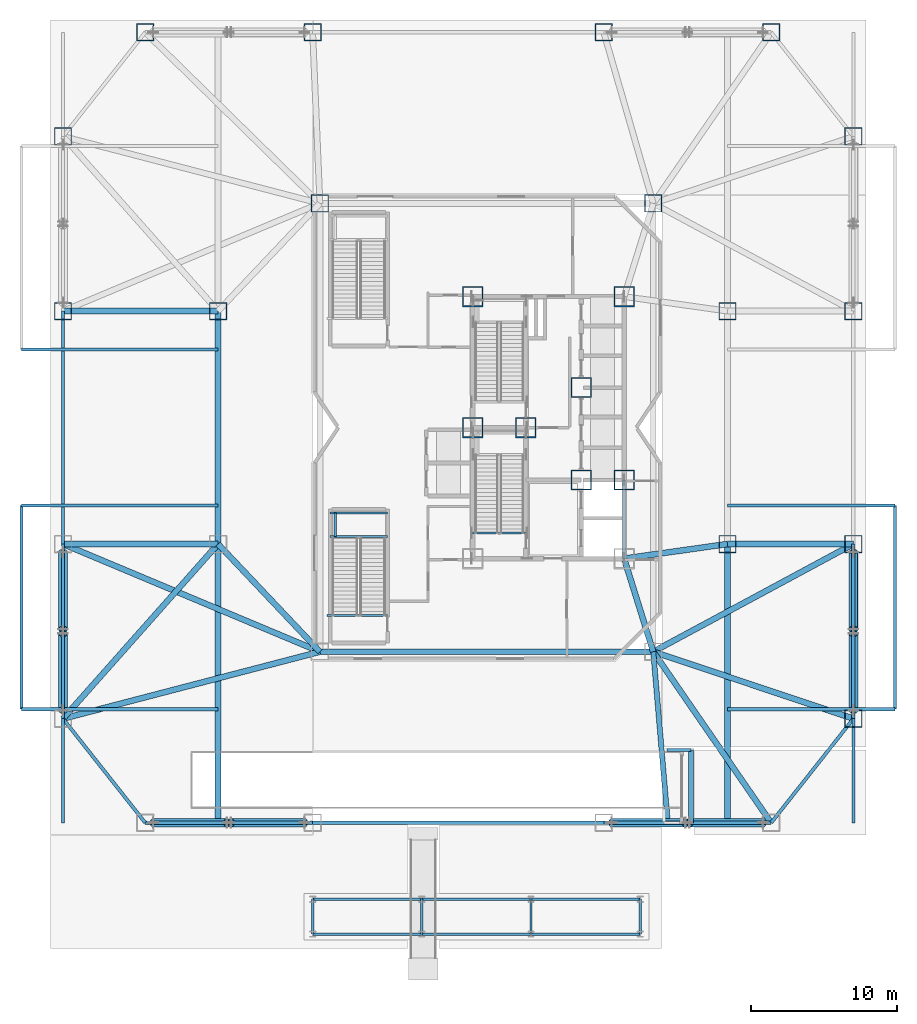
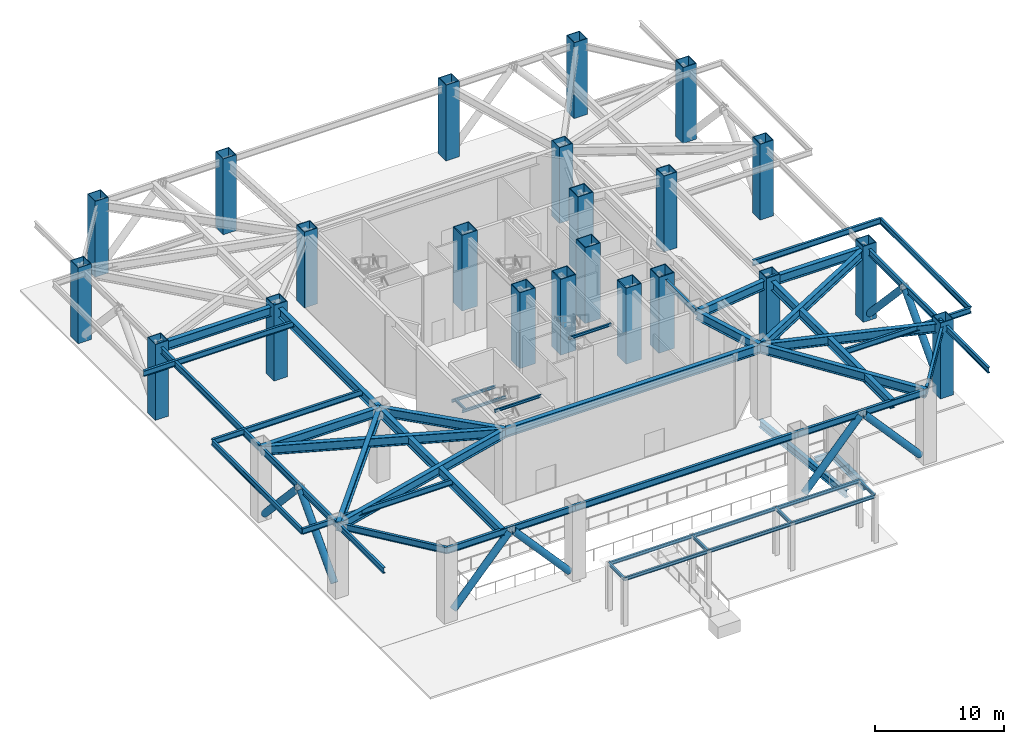
# One storey, part 2 of 14: 52 beams, 22 columns, 8 members.
"""IFC4 building model written with IfcOpenShell, lengths in metres."""

from ifc_helpers import new_model, si_unit, direction, frame, origin, origin_2d, place, context, subcontext, project, spatial, hollow_rectangle, hollow_circle, i_section, extrude, material, material_profile, profile_set, type_object, element, save


model = new_model("IFC4")

# Units and contexts
model_context = context("Model", 3, precision=1e-05, world=origin(), true_north=direction((0.0, 1.0)))
body_context = subcontext(model_context, "Body", "Model", "MODEL_VIEW")
ifc_project = project(units=[si_unit("LENGTHUNIT", "METRE"), si_unit("AREAUNIT", "SQUARE_METRE"), si_unit("VOLUMEUNIT", "CUBIC_METRE"), si_unit("PLANEANGLEUNIT", "RADIAN"), si_unit("MASSUNIT", "GRAM", prefix="KILO")], contexts=[model_context])

# Site, building, storey
site_placement = place(None, origin())
site = spatial("IfcSite", under=ifc_project, at=site_placement, CompositionType="ELEMENT")
building_placement = place(site_placement, origin())
building = spatial("IfcBuilding", under=site, at=building_placement, Name="Khamvora Tower", CompositionType="ELEMENT")
storey_placement = place(building_placement, origin())
storey = spatial("IfcBuildingStorey", under=building, at=storey_placement, Name="L00", CompositionType="ELEMENT", Elevation=0.0)

# Columns
ifc_material_1 = material(Name="Steel S460", Category="steel")
ifc_material_profile_1 = material_profile(ifc_material_1, hollow_rectangle(XDim=1.199951171875, YDim=1.199951171875, WallThickness=0.06005859375, at=origin_2d()), Name="BOX1200x1200x60")
ifc_profile_set_1 = profile_set([ifc_material_profile_1], Name="Steel S460")
column_type_1 = type_object("IfcColumnType", Name="COL-BOX1200", PredefinedType="COLUMN", material=ifc_profile_set_1)
for number, where, z_axis, x_axis, name in (
    (1, (6.5, 55.14990234375, 0.0), (0.0, 0.0, 1.0), (1.0, 0.0, 0.0), "L00 structural frame column P05"),
    (2, (18.0, 55.14990234375, 0.0), (0.0, 0.0, 1.0), (1.0, 0.0, 0.0), "L00 structural frame column P06"),
    (3, (38.0, 55.14990234375, 0.0), (0.0, 0.0, 1.0), (1.0, 0.0, 0.0), "L00 structural frame column P07"),
    (4, (49.5, 55.14990234375, 0.0), (0.0, 0.0, 1.0), (1.0, 0.0, 0.0), "L00 structural frame column P08"),
    (5, (0.85009765625, 36.0, 0.0), (0.0, 0.0, 1.0), (1.0, 0.0, 0.0), "L00 structural frame column P11"),
    (6, (0.85009765625, 48.0, 0.0), (0.0, 0.0, 1.0), (1.0, 0.0, 0.0), "L00 structural frame column P12"),
    (7, (55.14990234375, 8.0, 0.0), (0.0, 0.0, 1.0), (1.0, 0.0, 0.0), "L00 structural frame column P13"),
    (8, (55.14990234375, 20.0, 0.0), (0.0, 0.0, 1.0), (1.0, 0.0, 0.0), "L00 structural frame column P14"),
    (9, (55.14990234375, 36.0, 0.0), (0.0, 0.0, 1.0), (1.0, 0.0, 0.0), "L00 structural frame column P15"),
    (10, (55.14990234375, 48.0, 0.0), (0.0, 0.0, 1.0), (1.0, 0.0, 0.0), "L00 structural frame column P16"),
    (11, (18.5, 43.39990234375, 0.0), (0.0, 0.0, 1.0), (1.0, 0.0, 0.0), "L00 structural frame column P19"),
    (12, (41.39990234375, 43.39990234375, 0.0), (0.0, 0.0, 1.0), (1.0, 0.0, 0.0), "L00 structural frame column P20"),
    (13, (11.5, 36.0, 0.0), (0.0, 0.0, 1.0), (1.0, 0.0, 0.0), "L00 structural frame column P22"),
    (14, (46.5, 20.0, 0.0), (0.0, 0.0, 1.0), (1.0, 0.0, 0.0), "L00 structural frame column P23"),
    (15, (46.5, 36.0, 0.0), (0.0, 0.0, 1.0), (1.0, 0.0, 0.0), "L00 structural frame column P24"),
):
    element("IfcColumn", number, at=place(storey_placement, frame(where, z_axis=z_axis, x_axis=x_axis)), inside=storey, type_object=column_type_1, Name=name, PredefinedType="COLUMN", context=body_context, shape_type="SweptSolid", body=[
        extrude(hollow_rectangle(XDim=1.199951171875, YDim=1.199951171875, WallThickness=0.06005859375, at=origin_2d()), origin(), (0.0, 0.0, 1.0), 7.199951171875),
    ])
ifc_material_profile_2 = material_profile(ifc_material_1, hollow_rectangle(XDim=1.39990234375, YDim=1.39990234375, WallThickness=0.070068359375, at=origin_2d()), Name="BOX1400x1400x70")
ifc_profile_set_2 = profile_set([ifc_material_profile_2], Name="Steel S460")
column_type_2 = type_object("IfcColumnType", Name="COL-BOX1400", PredefinedType="COLUMN", material=ifc_profile_set_2)
for number, where, z_axis, x_axis, name in (
    (16, (32.64990234375, 28.0, 0.0), (0.0, 0.0, 1.0), (1.0, 0.0, 0.0), "L00 plumb core spine column SC2"),
    (17, (29.0, 28.0, 0.0), (0.0, 0.0, 1.0), (1.0, 0.0, 0.0), "L00 plumb core spine column SC4"),
    (18, (36.449951171875, 24.39990234375, 0.0), (0.0, 0.0, 1.0), (1.0, 0.0, 0.0), "L00 plumb core spine column SC5"),
    (19, (39.39990234375, 24.39990234375, 0.0), (0.0, 0.0, 1.0), (1.0, 0.0, 0.0), "L00 plumb core spine column SC6"),
    (20, (29.0, 37.0, 0.0), (0.0, 0.0, 1.0), (1.0, 0.0, 0.0), "L00 plumb core spine column SC7"),
    (21, (36.449951171875, 30.75, 0.0), (0.0, 0.0, 1.0), (1.0, 0.0, 0.0), "L00 plumb core spine column SC8"),
    (22, (39.39990234375, 37.0, 0.0), (0.0, 0.0, 1.0), (1.0, 0.0, 0.0), "L00 plumb core spine column SC9"),
):
    element("IfcColumn", number, at=place(storey_placement, frame(where, z_axis=z_axis, x_axis=x_axis)), inside=storey, type_object=column_type_2, Name=name, PredefinedType="COLUMN", context=body_context, shape_type="SweptSolid", body=[
        extrude(hollow_rectangle(XDim=1.39990234375, YDim=1.39990234375, WallThickness=0.070068359375, at=origin_2d()), origin(), (0.0, 0.0, 1.0), 7.199951171875),
    ])

# Beams
ifc_material_2 = material(Name="Steel S355", Category="steel")
ifc_material_profile_3 = material_profile(ifc_material_2, i_section(OverallWidth=0.166015625, OverallDepth=0.31298828125, WebThickness=0.007080078125, FlangeThickness=0.010986328125, FilletRadius=0.010009765625, at=origin_2d()), Name="W310x45")
ifc_profile_set_3 = profile_set([ifc_material_profile_3], Name="Steel S355")
beam_type_1 = type_object("IfcBeamType", Name="BM-JS-W310x45", PredefinedType="JOIST", material=ifc_profile_set_3)
for number, where, z_axis, x_axis, name in (
    (23, (18.0, -6.800048828125, 4.343017578125), (1.0, 0.0, 0.0), (0.0, 1.0, 0.0), "L00 canopy longitudinal beam 1.1"),
    (24, (25.5, -6.800048828125, 4.343017578125), (1.0, 0.0, 0.0), (0.0, 1.0, 0.0), "L00 canopy longitudinal beam 1.2"),
    (25, (33.0, -6.800048828125, 4.343017578125), (1.0, 0.0, 0.0), (0.0, 1.0, 0.0), "L00 canopy longitudinal beam 1.3"),
    (26, (18.0, -4.39990234375, 4.343017578125), (1.0, 0.0, 0.0), (0.0, 1.0, 0.0), "L00 canopy longitudinal beam 2.1"),
    (27, (25.5, -4.39990234375, 4.343017578125), (1.0, 0.0, 0.0), (0.0, 1.0, 0.0), "L00 canopy longitudinal beam 2.2"),
    (28, (33.0, -4.39990234375, 4.343017578125), (1.0, 0.0, 0.0), (0.0, 1.0, 0.0), "L00 canopy longitudinal beam 2.3"),
):
    element("IfcBeam", number, at=place(storey_placement, frame(where, z_axis=z_axis, x_axis=x_axis)), inside=storey, type_object=beam_type_1, Name=name, PredefinedType="JOIST", context=body_context, shape_type="SweptSolid", body=[
        extrude(i_section(OverallWidth=0.166015625, OverallDepth=0.31298828125, WebThickness=0.007080078125, FlangeThickness=0.010986328125, FilletRadius=0.010009765625, at=origin_2d()), origin(), (0.0, 0.0, 1.0), 7.5),
    ])
for number, where, z_axis, x_axis, name in (
    (29, (18.0, -6.800048828125, 4.343017578125), (0.0, 1.0, 0.0), (-1.0, 0.0, 0.0), "L00 canopy transverse tie beam 1"),
    (30, (25.5, -6.800048828125, 4.343017578125), (0.0, 1.0, 0.0), (-1.0, 0.0, 0.0), "L00 canopy transverse tie beam 2"),
    (31, (33.0, -6.800048828125, 4.343017578125), (0.0, 1.0, 0.0), (-1.0, 0.0, 0.0), "L00 canopy transverse tie beam 3"),
    (32, (40.5, -6.800048828125, 4.343017578125), (0.0, 1.0, 0.0), (-1.0, 0.0, 0.0), "L00 canopy transverse tie beam 4"),
):
    element("IfcBeam", number, at=place(storey_placement, frame(where, z_axis=z_axis, x_axis=x_axis)), inside=storey, type_object=beam_type_1, Name=name, PredefinedType="JOIST", context=body_context, shape_type="SweptSolid", body=[
        extrude(i_section(OverallWidth=0.166015625, OverallDepth=0.31298828125, WebThickness=0.007080078125, FlangeThickness=0.010986328125, FilletRadius=0.010009765625, at=origin_2d()), origin(), (0.0, 0.0, 1.0), 2.400146484375),
    ])
ifc_material_profile_4 = material_profile(ifc_material_2, i_section(OverallWidth=0.14697265625, OverallDepth=0.261962890625, WebThickness=0.007080078125, FlangeThickness=0.010986328125, FilletRadius=0.008056640625, at=origin_2d()), Name="W250x39")
ifc_profile_set_4 = profile_set([ifc_material_profile_4], Name="Steel S355")
beam_type_2 = type_object("IfcBeamType", Name="BM-LN-W250x39", PredefinedType="LINTEL", material=ifc_profile_set_4)
for number, where, z_axis, x_axis, name in (
    (33, (19.199951171875, 20.5048828125, 3.26904296875), (1.0, 0.0, 0.0), (0.0, 1.0, 0.0), "L00 ST-03 half-landing support beam 1.1"),
    (34, (19.199951171875, 22.1298828125, 3.26904296875), (1.0, 0.0, 0.0), (0.0, 1.0, 0.0), "L00 ST-03 half-landing support beam 1.2"),
):
    element("IfcBeam", number, at=place(storey_placement, frame(where, z_axis=z_axis, x_axis=x_axis)), inside=storey, type_object=beam_type_2, Name=name, PredefinedType="LINTEL", context=body_context, shape_type="SweptSolid", body=[
        extrude(i_section(OverallWidth=0.14697265625, OverallDepth=0.261962890625, WebThickness=0.007080078125, FlangeThickness=0.010986328125, FilletRadius=0.008056640625, at=origin_2d()), origin(), (0.0, 0.0, 1.0), 3.949951171875),
    ])
beam_1_placement = place(storey_placement, frame((19.550048828125, 20.5048828125, 3.26904296875), z_axis=(0.0, 1.0, 0.0), x_axis=(-1.0, 0.0, 0.0)))
element("IfcBeam", 35, at=beam_1_placement, inside=storey, type_object=beam_type_2, Name="L00 ST-03 half-landing edge stringer 1", PredefinedType="LINTEL", context=body_context, shape_type="SweptSolid", body=[
    extrude(i_section(OverallWidth=0.14697265625, OverallDepth=0.261962890625, WebThickness=0.007080078125, FlangeThickness=0.010986328125, FilletRadius=0.008056640625, at=origin_2d()), origin(), (0.0, 0.0, 1.0), 1.625),
])
beam_2_placement = place(storey_placement, frame((28.89990234375, 20.75, 6.654052734375), z_axis=(1.0, 0.0, 0.0), x_axis=(0.0, 1.0, 0.0)))
element("IfcBeam", 36, at=beam_2_placement, inside=storey, type_object=beam_type_2, Name="L00 exit stair ST-01 landing trimmer beam", PredefinedType="LINTEL", context=body_context, shape_type="SweptSolid", body=[
    extrude(i_section(OverallWidth=0.14697265625, OverallDepth=0.261962890625, WebThickness=0.007080078125, FlangeThickness=0.010986328125, FilletRadius=0.008056640625, at=origin_2d()), origin(), (0.0, 0.0, 1.0), 3.830078125),
])
beam_3_placement = place(storey_placement, frame((19.0, 15.10009765625, 6.654052734375), z_axis=(1.0, 0.0, 0.0), x_axis=(0.0, 1.0, 0.0)))
element("IfcBeam", 37, at=beam_3_placement, inside=storey, type_object=beam_type_2, Name="L00 podium stair ST03 landing trimmer beam", PredefinedType="LINTEL", context=body_context, shape_type="SweptSolid", body=[
    extrude(i_section(OverallWidth=0.14697265625, OverallDepth=0.261962890625, WebThickness=0.007080078125, FlangeThickness=0.010986328125, FilletRadius=0.008056640625, at=origin_2d()), origin(), (0.0, 0.0, 1.0), 4.14990234375),
])
ifc_material_profile_5 = material_profile(ifc_material_2, i_section(OverallWidth=0.35498046875, OverallDepth=0.695068359375, WebThickness=0.014892578125, FlangeThickness=0.02490234375, FilletRadius=0.01611328125, at=origin_2d()), Name="W690x217")
ifc_profile_set_5 = profile_set([ifc_material_profile_5], Name="Steel S355")
beam_type_3 = type_object("IfcBeamType", Name="BM-PG-W690x217", PredefinedType="BEAM", material=ifc_profile_set_5)
beam_4_placement = place(storey_placement, frame((41.39990234375, 12.60009765625, -0.76708984375), z_axis=(0.084799830401, -0.996398007206, 0.0), x_axis=(0.996398007206, 0.084799830401, 0.0)))
element("IfcBeam", 38, at=beam_4_placement, inside=storey, type_object=beam_type_3, Name="L00 vehicle ramp portal foundation grade beam", PredefinedType="BEAM", context=body_context, shape_type="SweptSolid", body=[
    extrude(i_section(OverallWidth=0.35498046875, OverallDepth=0.695068359375, WebThickness=0.014892578125, FlangeThickness=0.02490234375, FilletRadius=0.01611328125, at=origin_2d()), origin(), (0.0, 0.0, 1.0), 11.79248046875),
])
beam_5_placement = place(storey_placement, frame((44.0, 0.85009765625, -0.626953125), z_axis=(0.0, 1.0, 0.0), x_axis=(-1.0, 0.0, 0.0)))
element("IfcBeam", 39, at=beam_5_placement, inside=storey, type_object=beam_type_3, Name="L00 vehicle ramp east apron beam", PredefinedType="BEAM", context=body_context, shape_type="SweptSolid", body=[
    extrude(i_section(OverallWidth=0.35498046875, OverallDepth=0.695068359375, WebThickness=0.014892578125, FlangeThickness=0.02490234375, FilletRadius=0.01611328125, at=origin_2d()), origin(), (0.0, 0.0, 1.0), 5.0),
])
ifc_material_profile_6 = material_profile(ifc_material_2, i_section(OverallWidth=0.39990234375, OverallDepth=0.85498046875, WebThickness=0.01806640625, FlangeThickness=0.029052734375, FilletRadius=0.01806640625, at=origin_2d()), Name="W840x299")
ifc_profile_set_6 = profile_set([ifc_material_profile_6], Name="Steel S355")
beam_type_4 = type_object("IfcBeamType", Name="BM-PG-W840x299", PredefinedType="BEAM", material=ifc_profile_set_6)
beam_6_placement = place(storey_placement, frame((18.5, 12.60009765625, 6.35302734375), z_axis=(1.0, 0.0, 0.0), x_axis=(0.0, 1.0, 0.0)))
element("IfcBeam", 40, at=beam_6_placement, inside=storey, type_object=beam_type_4, Name="L00 longitudinal frame girder P17-P18", PredefinedType="BEAM", context=body_context, shape_type="SweptSolid", body=[
    extrude(i_section(OverallWidth=0.39990234375, OverallDepth=0.85498046875, WebThickness=0.01806640625, FlangeThickness=0.029052734375, FilletRadius=0.01806640625, at=origin_2d()), origin(), (0.0, 0.0, 1.0), 22.89990234375),
])
beam_7_placement = place(storey_placement, frame((11.5, 20.0, 6.35302734375), z_axis=(0.0, 1.0, 0.0), x_axis=(-1.0, 0.0, 0.0)))
element("IfcBeam", 41, at=beam_7_placement, inside=storey, type_object=beam_type_4, Name="L00 longitudinal frame girder P21-P22", PredefinedType="BEAM", context=body_context, shape_type="SweptSolid", body=[
    extrude(i_section(OverallWidth=0.39990234375, OverallDepth=0.85498046875, WebThickness=0.01806640625, FlangeThickness=0.029052734375, FilletRadius=0.01806640625, at=origin_2d()), origin(), (0.0, 0.0, 1.0), 16.0),
])
beam_8_placement = place(storey_placement, frame((41.39990234375, 12.60009765625, 6.35302734375), z_axis=(0.567573841069, -0.823322497527, 0.0), x_axis=(0.823322497527, 0.567573841069, 0.0)))
element("IfcBeam", 42, at=beam_8_placement, inside=storey, type_object=beam_type_4, Name="L00 primary floor girder P04", PredefinedType="BEAM", context=body_context, shape_type="SweptSolid", body=[
    extrude(i_section(OverallWidth=0.39990234375, OverallDepth=0.85498046875, WebThickness=0.01806640625, FlangeThickness=0.029052734375, FilletRadius=0.01806640625, at=origin_2d()), origin(), (0.0, 0.0, 1.0), 14.271484375),
])
beam_9_placement = place(storey_placement, frame((11.5, 20.0, 6.35302734375), z_axis=(-0.6637799472, -0.747927925468, 0.0), x_axis=(0.747927925468, -0.6637799472, 0.0)))
element("IfcBeam", 43, at=beam_9_placement, inside=storey, type_object=beam_type_4, Name="L00 primary floor girder P09", PredefinedType="BEAM", context=body_context, shape_type="SweptSolid", body=[
    extrude(i_section(OverallWidth=0.39990234375, OverallDepth=0.85498046875, WebThickness=0.01806640625, FlangeThickness=0.029052734375, FilletRadius=0.01806640625, at=origin_2d()), origin(), (0.0, 0.0, 1.0), 16.04443359375),
])
for number, where, z_axis, x_axis, name in (
    (44, (11.5, 20.0, 6.35302734375), (-1.0, 0.0, 0.0), (0.0, -1.0, 0.0), "L00 primary floor girder P10"),
    (45, (11.5, 36.0, 6.35302734375), (-1.0, 0.0, 0.0), (0.0, -1.0, 0.0), "L00 primary floor girder P11"),
):
    element("IfcBeam", number, at=place(storey_placement, frame(where, z_axis=z_axis, x_axis=x_axis)), inside=storey, type_object=beam_type_4, Name=name, PredefinedType="BEAM", context=body_context, shape_type="SweptSolid", body=[
        extrude(i_section(OverallWidth=0.39990234375, OverallDepth=0.85498046875, WebThickness=0.01806640625, FlangeThickness=0.029052734375, FilletRadius=0.01806640625, at=origin_2d()), origin(), (0.0, 0.0, 1.0), 10.64990234375),
    ])
beam_10_placement = place(storey_placement, frame((41.39990234375, 12.60009765625, 6.35302734375), z_axis=(0.948335857324, -0.31726818579, 0.0), x_axis=(0.31726818579, 0.948335857324, 0.0)))
element("IfcBeam", 46, at=beam_10_placement, inside=storey, type_object=beam_type_4, Name="L00 primary floor girder P13", PredefinedType="BEAM", context=body_context, shape_type="SweptSolid", body=[
    extrude(i_section(OverallWidth=0.39990234375, OverallDepth=0.85498046875, WebThickness=0.01806640625, FlangeThickness=0.029052734375, FilletRadius=0.01806640625, at=origin_2d()), origin(), (0.0, 0.0, 1.0), 14.4990234375),
])
beam_11_placement = place(storey_placement, frame((46.5, 20.0, 6.35302734375), z_axis=(1.0, 0.0, 0.0), x_axis=(0.0, 1.0, 0.0)))
element("IfcBeam", 47, at=beam_11_placement, inside=storey, type_object=beam_type_4, Name="L00 primary floor girder P14", PredefinedType="BEAM", context=body_context, shape_type="SweptSolid", body=[
    extrude(i_section(OverallWidth=0.39990234375, OverallDepth=0.85498046875, WebThickness=0.01806640625, FlangeThickness=0.029052734375, FilletRadius=0.01806640625, at=origin_2d()), origin(), (0.0, 0.0, 1.0), 8.64990234375),
])
beam_12_placement = place(storey_placement, frame((39.39990234375, 19.0, 6.35302734375), z_axis=(0.298279139585, -0.95447868226, 0.0), x_axis=(0.95447868226, 0.298279139585, 0.0)))
element("IfcBeam", 48, at=beam_12_placement, inside=storey, type_object=beam_type_4, Name="L00 primary floor girder P18", PredefinedType="BEAM", context=body_context, shape_type="SweptSolid", body=[
    extrude(i_section(OverallWidth=0.39990234375, OverallDepth=0.85498046875, WebThickness=0.01806640625, FlangeThickness=0.029052734375, FilletRadius=0.01806640625, at=origin_2d()), origin(), (0.0, 0.0, 1.0), 6.705078125),
])
beam_13_placement = place(storey_placement, frame((18.5, 12.60009765625, 6.35302734375), z_axis=(-0.687204640029, 0.726463889483, 0.0), x_axis=(-0.726463889483, -0.687204640029, 0.0)))
element("IfcBeam", 49, at=beam_13_placement, inside=storey, type_object=beam_type_4, Name="L00 primary floor girder P21", PredefinedType="BEAM", context=body_context, shape_type="SweptSolid", body=[
    extrude(i_section(OverallWidth=0.39990234375, OverallDepth=0.85498046875, WebThickness=0.01806640625, FlangeThickness=0.029052734375, FilletRadius=0.01806640625, at=origin_2d()), origin(), (0.0, 0.0, 1.0), 10.186279296875),
])
beam_14_placement = place(storey_placement, frame((39.39990234375, 19.0, 6.35302734375), z_axis=(0.990226770029, 0.139466640879, 0.0), x_axis=(-0.139466640879, 0.990226770029, 0.0)))
element("IfcBeam", 50, at=beam_14_placement, inside=storey, type_object=beam_type_4, Name="L00 primary floor girder P23", PredefinedType="BEAM", context=body_context, shape_type="SweptSolid", body=[
    extrude(i_section(OverallWidth=0.39990234375, OverallDepth=0.85498046875, WebThickness=0.01806640625, FlangeThickness=0.029052734375, FilletRadius=0.01806640625, at=origin_2d()), origin(), (0.0, 0.0, 1.0), 7.170166015625),
])
beam_15_placement = place(storey_placement, frame((55.14990234375, 20.0, 6.35302734375), z_axis=(-0.880576508414, -0.473904012252, 0.0), x_axis=(0.473904012252, -0.880576508414, 0.0)))
element("IfcBeam", 51, at=beam_15_placement, inside=storey, type_object=beam_type_4, Name="L00 east plinth tie girder 2", PredefinedType="BEAM", context=body_context, shape_type="SweptSolid", body=[
    extrude(i_section(OverallWidth=0.39990234375, OverallDepth=0.85498046875, WebThickness=0.01806640625, FlangeThickness=0.029052734375, FilletRadius=0.01806640625, at=origin_2d()), origin(), (0.0, 0.0, 1.0), 15.61474609375),
])
beam_16_placement = place(storey_placement, frame((46.5, 0.85009765625, 6.35302734375), z_axis=(0.0, 1.0, 0.0), x_axis=(-1.0, 0.0, 0.0)))
element("IfcBeam", 52, at=beam_16_placement, inside=storey, type_object=beam_type_4, Name="L00 gallery collector girder E.1", PredefinedType="BEAM", context=body_context, shape_type="SweptSolid", body=[
    extrude(i_section(OverallWidth=0.39990234375, OverallDepth=0.85498046875, WebThickness=0.01806640625, FlangeThickness=0.029052734375, FilletRadius=0.01806640625, at=origin_2d()), origin(), (0.0, 0.0, 1.0), 19.14990234375),
])
beam_17_placement = place(storey_placement, frame((0.85009765625, 8.0, 6.35302734375), z_axis=(0.967673821538, 0.252205025942, 0.0), x_axis=(-0.252205025942, 0.967673821538, 0.0)))
element("IfcBeam", 53, at=beam_17_placement, inside=storey, type_object=beam_type_4, Name="L00 west plinth tie girder 1", PredefinedType="BEAM", context=body_context, shape_type="SweptSolid", body=[
    extrude(i_section(OverallWidth=0.39990234375, OverallDepth=0.85498046875, WebThickness=0.01806640625, FlangeThickness=0.029052734375, FilletRadius=0.01806640625, at=origin_2d()), origin(), (0.0, 0.0, 1.0), 18.239501953125),
])
beam_18_placement = place(storey_placement, frame((0.85009765625, 20.0, 6.35302734375), z_axis=(0.922225491396, -0.386652483529, 0.0), x_axis=(0.386652483529, 0.922225491396, 0.0)))
element("IfcBeam", 54, at=beam_18_placement, inside=storey, type_object=beam_type_4, Name="L00 west plinth tie girder 2", PredefinedType="BEAM", context=body_context, shape_type="SweptSolid", body=[
    extrude(i_section(OverallWidth=0.39990234375, OverallDepth=0.85498046875, WebThickness=0.01806640625, FlangeThickness=0.029052734375, FilletRadius=0.01806640625, at=origin_2d()), origin(), (0.0, 0.0, 1.0), 19.138427734375),
])
beam_19_placement = place(storey_placement, frame((11.5, 0.85009765625, 6.35302734375), z_axis=(0.0, 1.0, 0.0), x_axis=(-1.0, 0.0, 0.0)))
element("IfcBeam", 55, at=beam_19_placement, inside=storey, type_object=beam_type_4, Name="L00 gallery collector girder W.1", PredefinedType="BEAM", context=body_context, shape_type="SweptSolid", body=[
    extrude(i_section(OverallWidth=0.39990234375, OverallDepth=0.85498046875, WebThickness=0.01806640625, FlangeThickness=0.029052734375, FilletRadius=0.01806640625, at=origin_2d()), origin(), (0.0, 0.0, 1.0), 19.14990234375),
])
ifc_material_profile_7 = material_profile(ifc_material_2, i_section(OverallWidth=0.2119140625, OverallDepth=0.5439453125, WebThickness=0.012939453125, FlangeThickness=0.02099609375, FilletRadius=0.013916015625, at=origin_2d()), Name="W530x123")
ifc_profile_set_7 = profile_set([ifc_material_profile_7], Name="Steel S355")
beam_type_5 = type_object("IfcBeamType", Name="BM-SP-W530x123", PredefinedType="SPANDREL", material=ifc_profile_set_7)
for number, where, z_axis, x_axis, name in (
    (56, (55.14990234375, 0.85009765625, 6.508056640625), (0.0, 1.0, 0.0), (-1.0, 0.0, 0.0), "L00 E perimeter edge spandrel 1"),
    (57, (0.85009765625, 0.85009765625, 6.508056640625), (0.0, 1.0, 0.0), (-1.0, 0.0, 0.0), "L00 W perimeter edge spandrel 1"),
):
    element("IfcBeam", number, at=place(storey_placement, frame(where, z_axis=z_axis, x_axis=x_axis)), inside=storey, type_object=beam_type_5, Name=name, PredefinedType="SPANDREL", context=body_context, shape_type="SweptSolid", body=[
        extrude(i_section(OverallWidth=0.2119140625, OverallDepth=0.5439453125, WebThickness=0.012939453125, FlangeThickness=0.02099609375, FilletRadius=0.013916015625, at=origin_2d()), origin(), (0.0, 0.0, 1.0), 7.14990234375),
    ])
ifc_material_profile_8 = material_profile(ifc_material_2, i_section(OverallWidth=0.208984375, OverallDepth=0.532958984375, WebThickness=0.010009765625, FlangeThickness=0.01611328125, FilletRadius=0.013916015625, at=origin_2d()), Name="W530x92")
ifc_profile_set_8 = profile_set([ifc_material_profile_8], Name="Steel S355")
beam_type_6 = type_object("IfcBeamType", Name="BM-SP-W530x92", PredefinedType="SPANDREL", material=ifc_profile_set_8)
beam_20_placement = place(storey_placement, frame((42.35009765625, 5.85009765625, -0.5458984375), z_axis=(1.0, 0.0, 0.0), x_axis=(0.0, 1.0, 0.0)))
element("IfcBeam", 58, at=beam_20_placement, inside=storey, type_object=beam_type_6, Name="L00 vehicle ramp north apron beam", PredefinedType="SPANDREL", context=body_context, shape_type="SweptSolid", body=[
    extrude(i_section(OverallWidth=0.208984375, OverallDepth=0.532958984375, WebThickness=0.010009765625, FlangeThickness=0.01611328125, FilletRadius=0.013916015625, at=origin_2d()), origin(), (0.0, 0.0, 1.0), 1.64990234375),
])
beam_21_placement = place(storey_placement, frame((39.39990234375, 19.0, 6.513916015625), z_axis=(0.0, 1.0, 0.0), x_axis=(-1.0, 0.0, 0.0)))
element("IfcBeam", 59, at=beam_21_placement, inside=storey, type_object=beam_type_6, Name="L00 core spine girder ES", PredefinedType="SPANDREL", context=body_context, shape_type="SweptSolid", body=[
    extrude(i_section(OverallWidth=0.208984375, OverallDepth=0.532958984375, WebThickness=0.010009765625, FlangeThickness=0.01611328125, FilletRadius=0.013916015625, at=origin_2d()), origin(), (0.0, 0.0, 1.0), 5.39990234375),
])
for number, where, z_axis, x_axis, name in (
    (60, (46.5, 8.64990234375, 6.513916015625), (1.0, 0.0, 0.0), (0.0, 1.0, 0.0), "L00 continuous gallery cantilever girder L01-EL1-1"),
    (61, (46.5, 22.64990234375, 6.513916015625), (1.0, 0.0, 0.0), (0.0, 1.0, 0.0), "L00 continuous gallery cantilever girder L01-EL1-2"),
):
    element("IfcBeam", number, at=place(storey_placement, frame(where, z_axis=z_axis, x_axis=x_axis)), inside=storey, type_object=beam_type_6, Name=name, PredefinedType="SPANDREL", context=body_context, shape_type="SweptSolid", body=[
        extrude(i_section(OverallWidth=0.208984375, OverallDepth=0.532958984375, WebThickness=0.010009765625, FlangeThickness=0.01611328125, FilletRadius=0.013916015625, at=origin_2d()), origin(), (0.0, 0.0, 1.0), 11.5),
    ])
beam_22_placement = place(storey_placement, frame((58.0, 8.64990234375, 6.513916015625), z_axis=(0.0, 1.0, 0.0), x_axis=(-1.0, 0.0, 0.0)))
element("IfcBeam", 62, at=beam_22_placement, inside=storey, type_object=beam_type_6, Name="L00 external gallery edge header beam L01-EL1", PredefinedType="SPANDREL", context=body_context, shape_type="SweptSolid", body=[
    extrude(i_section(OverallWidth=0.208984375, OverallDepth=0.532958984375, WebThickness=0.010009765625, FlangeThickness=0.01611328125, FilletRadius=0.013916015625, at=origin_2d()), origin(), (0.0, 0.0, 1.0), 14.0),
])
for number, where, z_axis, x_axis, name in (
    (63, (11.5, 8.64990234375, 6.513916015625), (-1.0, 0.0, 0.0), (0.0, -1.0, 0.0), "L00 continuous gallery cantilever girder L01-WL1-1"),
    (64, (11.5, 22.64990234375, 6.513916015625), (-1.0, 0.0, 0.0), (0.0, -1.0, 0.0), "L00 continuous gallery cantilever girder L01-WL1-2"),
):
    element("IfcBeam", number, at=place(storey_placement, frame(where, z_axis=z_axis, x_axis=x_axis)), inside=storey, type_object=beam_type_6, Name=name, PredefinedType="SPANDREL", context=body_context, shape_type="SweptSolid", body=[
        extrude(i_section(OverallWidth=0.208984375, OverallDepth=0.532958984375, WebThickness=0.010009765625, FlangeThickness=0.01611328125, FilletRadius=0.013916015625, at=origin_2d()), origin(), (0.0, 0.0, 1.0), 13.5),
    ])
beam_23_placement = place(storey_placement, frame((-2.0, 8.64990234375, 6.513916015625), z_axis=(0.0, 1.0, 0.0), x_axis=(-1.0, 0.0, 0.0)))
element("IfcBeam", 65, at=beam_23_placement, inside=storey, type_object=beam_type_6, Name="L00 external gallery edge header beam L01-WL1", PredefinedType="SPANDREL", context=body_context, shape_type="SweptSolid", body=[
    extrude(i_section(OverallWidth=0.208984375, OverallDepth=0.532958984375, WebThickness=0.010009765625, FlangeThickness=0.01611328125, FilletRadius=0.013916015625, at=origin_2d()), origin(), (0.0, 0.0, 1.0), 14.0),
])
beam_24_placement = place(storey_placement, frame((11.5, 33.35009765625, 6.513916015625), z_axis=(-1.0, 0.0, 0.0), x_axis=(0.0, -1.0, 0.0)))
element("IfcBeam", 66, at=beam_24_placement, inside=storey, type_object=beam_type_6, Name="L00 continuous gallery cantilever girder L01-WL2-1", PredefinedType="SPANDREL", context=body_context, shape_type="SweptSolid", body=[
    extrude(i_section(OverallWidth=0.208984375, OverallDepth=0.532958984375, WebThickness=0.010009765625, FlangeThickness=0.01611328125, FilletRadius=0.013916015625, at=origin_2d()), origin(), (0.0, 0.0, 1.0), 13.5),
])
ifc_material_profile_9 = material_profile(ifc_material_2, i_section(OverallWidth=0.22998046875, OverallDepth=0.616943359375, WebThickness=0.012939453125, FlangeThickness=0.02197265625, FilletRadius=0.013916015625, at=origin_2d()), Name="W610x140")
ifc_profile_set_9 = profile_set([ifc_material_profile_9], Name="Steel S355")
beam_type_7 = type_object("IfcBeamType", Name="BM-SP-W610x140", PredefinedType="SPANDREL", material=ifc_profile_set_9)
beam_25_placement = place(storey_placement, frame((0.85009765625, 20.0, 6.471923828125), z_axis=(0.0, -1.0, 0.0), x_axis=(1.0, 0.0, 0.0)))
element("IfcBeam", 67, at=beam_25_placement, inside=storey, type_object=beam_type_7, Name="L00 perimeter spandrel beam P10-P09", PredefinedType="SPANDREL", context=body_context, shape_type="SweptSolid", body=[
    extrude(i_section(OverallWidth=0.22998046875, OverallDepth=0.616943359375, WebThickness=0.012939453125, FlangeThickness=0.02197265625, FilletRadius=0.013916015625, at=origin_2d()), origin(), (0.0, 0.0, 1.0), 12.0),
])
beam_26_placement = place(storey_placement, frame((0.85009765625, 8.0, 6.471923828125), z_axis=(0.619998635429, -0.784602888133, 0.0), x_axis=(0.784602888133, 0.619998635429, 0.0)))
element("IfcBeam", 68, at=beam_26_placement, inside=storey, type_object=beam_type_7, Name="L00 perimeter spandrel beam P09-P01", PredefinedType="SPANDREL", context=body_context, shape_type="SweptSolid", body=[
    extrude(i_section(OverallWidth=0.22998046875, OverallDepth=0.616943359375, WebThickness=0.012939453125, FlangeThickness=0.02197265625, FilletRadius=0.013916015625, at=origin_2d()), origin(), (0.0, 0.0, 1.0), 9.11279296875),
])
beam_27_placement = place(storey_placement, frame((6.5, 0.85009765625, 6.471923828125), z_axis=(1.0, 0.0, 0.0), x_axis=(0.0, 1.0, 0.0)))
element("IfcBeam", 69, at=beam_27_placement, inside=storey, type_object=beam_type_7, Name="L00 perimeter spandrel beam P01-P02", PredefinedType="SPANDREL", context=body_context, shape_type="SweptSolid", body=[
    extrude(i_section(OverallWidth=0.22998046875, OverallDepth=0.616943359375, WebThickness=0.012939453125, FlangeThickness=0.02197265625, FilletRadius=0.013916015625, at=origin_2d()), origin(), (0.0, 0.0, 1.0), 11.5),
])
beam_28_placement = place(storey_placement, frame((18.0, 0.85009765625, 6.471923828125), z_axis=(1.0, 0.0, 0.0), x_axis=(0.0, 1.0, 0.0)))
element("IfcBeam", 70, at=beam_28_placement, inside=storey, type_object=beam_type_7, Name="L00 perimeter spandrel beam P02-P03", PredefinedType="SPANDREL", context=body_context, shape_type="SweptSolid", body=[
    extrude(i_section(OverallWidth=0.22998046875, OverallDepth=0.616943359375, WebThickness=0.012939453125, FlangeThickness=0.02197265625, FilletRadius=0.013916015625, at=origin_2d()), origin(), (0.0, 0.0, 1.0), 20.0),
])
beam_29_placement = place(storey_placement, frame((38.0, 0.85009765625, 6.471923828125), z_axis=(1.0, 0.0, 0.0), x_axis=(0.0, 1.0, 0.0)))
element("IfcBeam", 71, at=beam_29_placement, inside=storey, type_object=beam_type_7, Name="L00 perimeter spandrel beam P03-P04", PredefinedType="SPANDREL", context=body_context, shape_type="SweptSolid", body=[
    extrude(i_section(OverallWidth=0.22998046875, OverallDepth=0.616943359375, WebThickness=0.012939453125, FlangeThickness=0.02197265625, FilletRadius=0.013916015625, at=origin_2d()), origin(), (0.0, 0.0, 1.0), 11.5),
])
beam_30_placement = place(storey_placement, frame((49.5, 0.85009765625, 6.471923828125), z_axis=(0.619998635429, 0.784602888133, 0.0), x_axis=(-0.784602888133, 0.619998635429, 0.0)))
element("IfcBeam", 72, at=beam_30_placement, inside=storey, type_object=beam_type_7, Name="L00 perimeter spandrel beam P04-P13", PredefinedType="SPANDREL", context=body_context, shape_type="SweptSolid", body=[
    extrude(i_section(OverallWidth=0.22998046875, OverallDepth=0.616943359375, WebThickness=0.012939453125, FlangeThickness=0.02197265625, FilletRadius=0.013916015625, at=origin_2d()), origin(), (0.0, 0.0, 1.0), 9.11279296875),
])
beam_31_placement = place(storey_placement, frame((55.14990234375, 8.0, 6.471923828125), z_axis=(0.0, 1.0, 0.0), x_axis=(-1.0, 0.0, 0.0)))
element("IfcBeam", 73, at=beam_31_placement, inside=storey, type_object=beam_type_7, Name="L00 perimeter spandrel beam P13-P14", PredefinedType="SPANDREL", context=body_context, shape_type="SweptSolid", body=[
    extrude(i_section(OverallWidth=0.22998046875, OverallDepth=0.616943359375, WebThickness=0.012939453125, FlangeThickness=0.02197265625, FilletRadius=0.013916015625, at=origin_2d()), origin(), (0.0, 0.0, 1.0), 12.0),
])
beam_32_placement = place(storey_placement, frame((0.85009765625, 36.0, 6.471923828125), z_axis=(0.0, -1.0, 0.0), x_axis=(1.0, 0.0, 0.0)))
element("IfcBeam", 74, at=beam_32_placement, inside=storey, type_object=beam_type_7, Name="L00 perimeter spandrel beam P11-P10", PredefinedType="SPANDREL", context=body_context, shape_type="SweptSolid", body=[
    extrude(i_section(OverallWidth=0.22998046875, OverallDepth=0.616943359375, WebThickness=0.012939453125, FlangeThickness=0.02197265625, FilletRadius=0.013916015625, at=origin_2d()), origin(), (0.0, 0.0, 1.0), 16.0),
])

# Members
ifc_material_profile_10 = material_profile(ifc_material_1, hollow_circle(Radius=0.304931640625, WallThickness=0.028076171875, at=origin_2d()), Name="CHS610x28")
ifc_profile_set_10 = profile_set([ifc_material_profile_10], Name="Steel S460")
member_type = type_object("IfcMemberType", Name="MEM-BR-CHS610", PredefinedType="BRACE", material=ifc_profile_set_10)
for number, where, z_axis, x_axis, name in (
    (75, (7.06005859375, 0.85009765625, 0.666015625), (0.666411891371, 0.0, 0.745583792098), (0.0, 1.0, 0.0), "L00 pilotis V-brace 01A"),
    (76, (17.43994140625, 0.85009765625, 0.666015625), (-0.666411891371, 0.0, 0.745583792098), (0.0, -1.0, 0.0), "L00 pilotis V-brace 01B"),
    (77, (38.56005859375, 0.85009765625, 0.666015625), (0.666411891371, 0.0, 0.745583792098), (0.0, 1.0, 0.0), "L00 pilotis V-brace 02A"),
    (78, (48.93994140625, 0.85009765625, 0.666015625), (-0.666411891371, 0.0, 0.745583792098), (0.0, -1.0, 0.0), "L00 pilotis V-brace 02B"),
):
    element("IfcMember", number, at=place(storey_placement, frame(where, z_axis=z_axis, x_axis=x_axis)), inside=storey, type_object=member_type, Name=name, PredefinedType="BRACE", context=body_context, shape_type="SweptSolid", body=[
        extrude(hollow_circle(Radius=0.304931640625, WallThickness=0.028076171875, at=origin_2d()), origin(), (0.0, 0.0, 1.0), 7.5673828125),
    ])
for number, where, z_axis, x_axis, name in (
    (79, (0.85009765625, 8.572998046875, 0.654052734375), (0.0, 0.682128204107, 0.731232598536), (-1.0, 0.0, 0.0), "L00 pilotis V-brace 05A"),
    (80, (0.85009765625, 19.427001953125, 0.654052734375), (0.0, -0.682128204107, 0.731232598536), (1.0, 0.0, 0.0), "L00 pilotis V-brace 05B"),
    (81, (55.14990234375, 8.572998046875, 0.654052734375), (0.0, 0.682128204107, 0.731232598536), (-1.0, 0.0, 0.0), "L00 pilotis V-brace 07A"),
    (82, (55.14990234375, 19.427001953125, 0.654052734375), (0.0, -0.682128204107, 0.731232598536), (1.0, 0.0, 0.0), "L00 pilotis V-brace 07B"),
):
    element("IfcMember", number, at=place(storey_placement, frame(where, z_axis=z_axis, x_axis=x_axis)), inside=storey, type_object=member_type, Name=name, PredefinedType="BRACE", context=body_context, shape_type="SweptSolid", body=[
        extrude(hollow_circle(Radius=0.304931640625, WallThickness=0.028076171875, at=origin_2d()), origin(), (0.0, 0.0, 1.0), 7.736328125),
    ])

save(model, "model.ifc")
